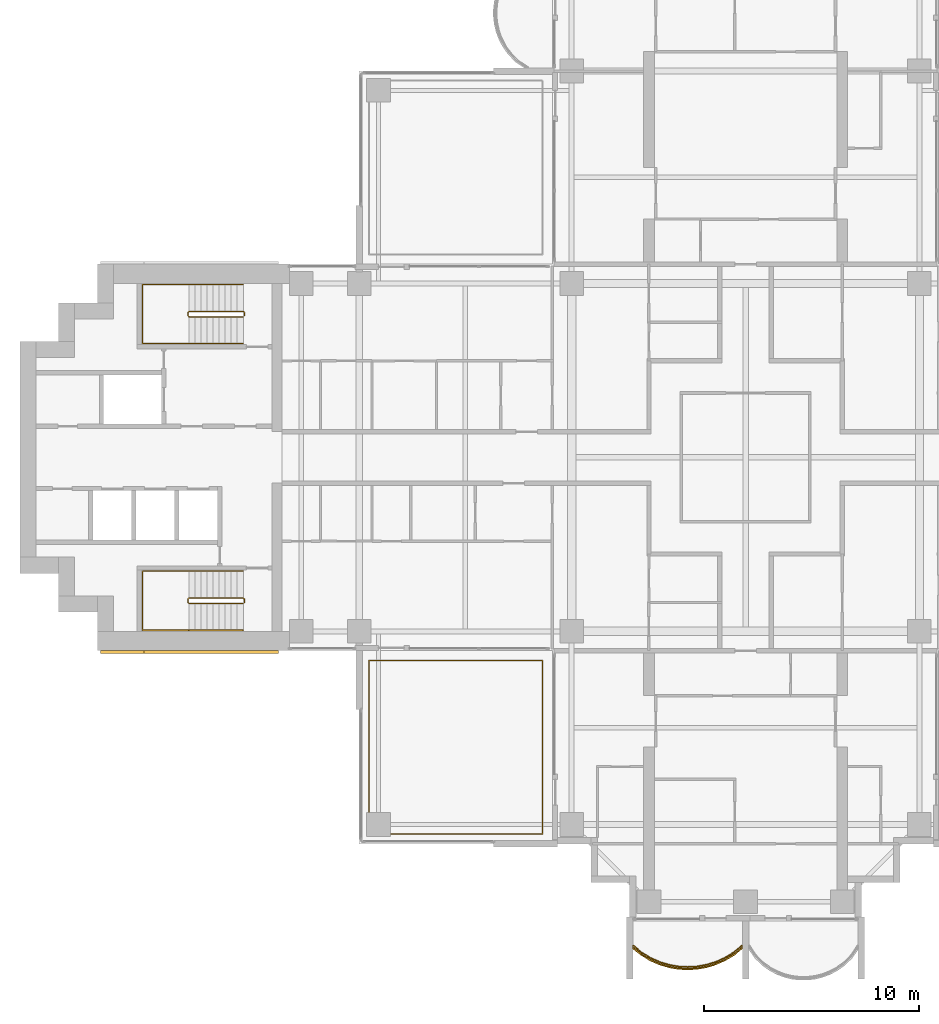
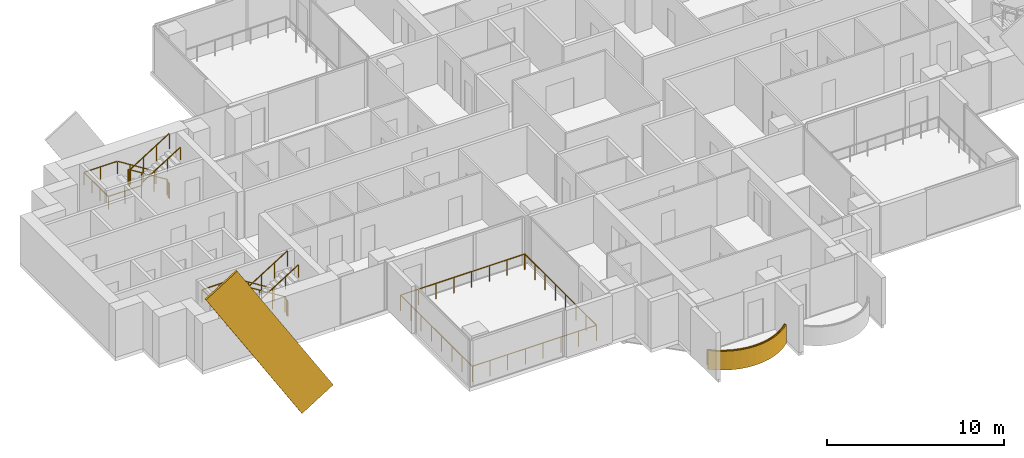
# One storey, part 16 of 19: 6 railings, 2 coverings.
"""IFC4 building model written with IfcOpenShell, lengths in metres."""

from ifc_helpers import new_model, si_unit, direction, frame, origin, origin_2d, place, context, subcontext, project, spatial, polyline, rectangle, outline, extrude, material, layer, layer_set, material_profile, profile_set, type_object, element, save


model = new_model("IFC4")

# Units and contexts
model_context = context("Model", 3, precision=1e-05, world=origin(), true_north=direction((0.0, 1.0)))
body_context = subcontext(model_context, "Body", "Model", "MODEL_VIEW")
ifc_project = project(units=[si_unit("LENGTHUNIT", "METRE"), si_unit("AREAUNIT", "SQUARE_METRE"), si_unit("VOLUMEUNIT", "CUBIC_METRE"), si_unit("PLANEANGLEUNIT", "RADIAN"), si_unit("MASSUNIT", "GRAM", prefix="KILO")], contexts=[model_context])

# Site, building, storey
site_placement = place(None, origin())
site = spatial("IfcSite", under=ifc_project, at=site_placement, CompositionType="ELEMENT")
building_placement = place(site_placement, origin())
building = spatial("IfcBuilding", under=site, at=building_placement, Name="Perihelion Cross Residences", CompositionType="ELEMENT")
storey_placement = place(building_placement, frame((0.0, 0.0, 137.39990234375)))
storey = spatial("IfcBuildingStorey", under=building, at=storey_placement, Name="L33", CompositionType="ELEMENT", Elevation=137.39990234375)

# Covering
ifc_material_1 = material(Name="Bronze anodised aluminium", Category="aluminium")
ifc_layer = layer(ifc_material_1, 0.070068359375)
ifc_layer_set = layer_set([ifc_layer], Name="Balcony fascia 1300")
covering_type_1 = type_object("IfcCoveringType", Name="Balcony fascia 1300", PredefinedType="CLADDING", material=ifc_layer_set)
covering_1_placement = place(storey_placement, frame((0.0, 0.0, -0.199951171875)))
element("IfcCovering", 1, at=covering_1_placement, inside=storey, type_object=covering_type_1, Name="Fascia BF1 L33 south tip south bay 1", PredefinedType="CLADDING", context=body_context, shape_type="SweptSolid", body=[
    extrude(outline(polyline([(-4.86474609375, -23.197509765625), (-4.431884765625, -23.455078125), (-3.998779296875, -23.642578125), (-3.56591796875, -23.7705078125), (-3.133056640625, -23.845458984375), (-2.699951171875, -23.8701171875), (-2.26708984375, -23.845458984375), (-1.833984375, -23.7705078125), (-1.401123046875, -23.642578125), (-0.96826171875, -23.455078125), (-0.53515625, -23.197509765625), (-0.14990234375, -22.8896484375), (-0.14990234375, -22.800048828125), (-0.574951171875, -23.14013671875), (-1.0, -23.392578125), (-1.425048828125, -23.57666015625), (-1.85009765625, -23.702392578125), (-2.27490234375, -23.77587890625), (-2.699951171875, -23.800048828125), (-3.125, -23.77587890625), (-3.550048828125, -23.702392578125), (-3.97509765625, -23.57666015625), (-4.39990234375, -23.392578125), (-4.824951171875, -23.14013671875), (-5.25, -22.800048828125), (-5.25, -22.8896484375), (-4.86474609375, -23.197509765625)])), origin(), (0.0, 0.0, 1.0), 1.300048828125),
])

# Railings
ifc_material_2 = material(Name="Bronze anodised aluminium", Category="aluminium")
railing_type_1 = type_object("IfcRailingType", Name="Balcony guard 1100", PredefinedType="GUARDRAIL", material=ifc_material_2)
railing_1_placement = place(storey_placement, frame((-5.22509765625, -22.739990234375, 0.0)))
element("IfcRailing", 2, at=railing_1_placement, inside=storey, type_object=railing_type_1, Name="Guard GU1 L33 south tip south bay 1 balcony", PredefinedType="GUARDRAIL", context=body_context, shape_type="SweptSolid", body=[
    extrude(rectangle(XDim=0.048095703125, YDim=0.048095703125, at=origin_2d()), frame((0.0, 0.0, 1.076171875), z_axis=(0.761973728849, -0.647607934281, 0.0), x_axis=(0.647607934281, 0.761973728849, 0.0)), (0.0, 0.0, 1.0), 0.525146484375),
    extrude(rectangle(XDim=0.048095703125, YDim=0.048095703125, at=origin_2d()), frame((0.400146484375, -0.340087890625, 1.076171875), z_axis=(0.859576918062, -0.511006381501, 0.0), x_axis=(0.511006381501, 0.859576918062, 0.0)), (0.0, 0.0, 1.0), 0.494384765625),
    extrude(rectangle(XDim=0.048095703125, YDim=0.048095703125, at=origin_2d()), frame((0.8251953125, -0.5927734375, 1.076171875), z_axis=(0.917747942671, -0.397163333811, 0.0), x_axis=(0.397163333811, 0.917747942671, 0.0)), (0.0, 0.0, 1.0), 0.462890625),
    extrude(rectangle(XDim=0.048095703125, YDim=0.048095703125, at=origin_2d()), frame((1.25, -0.776611328125, 1.076171875), z_axis=(0.958925815697, -0.283656975924, 0.0), x_axis=(0.283656975924, 0.958925815697, 0.0)), (0.0, 0.0, 1.0), 0.443359375),
    extrude(rectangle(XDim=0.048095703125, YDim=0.048095703125, at=origin_2d()), frame((1.675048828125, -0.90234375, 1.076171875), z_axis=(0.985381583142, -0.17036177859, 0.0), x_axis=(0.17036177859, 0.985381583142, 0.0)), (0.0, 0.0, 1.0), 0.431396484375),
    extrude(rectangle(XDim=0.048095703125, YDim=0.048095703125, at=origin_2d()), frame((2.10009765625, -0.975830078125, 1.076171875), z_axis=(0.998387160354, -0.056772159032, 0.0), x_axis=(0.056772159032, 0.998387160354, 0.0)), (0.0, 0.0, 1.0), 0.42578125),
    extrude(rectangle(XDim=0.048095703125, YDim=0.048095703125, at=origin_2d()), frame((2.525146484375, -1.0, 1.076171875), z_axis=(0.998387160354, 0.056772159032, 0.0), x_axis=(-0.056772159032, 0.998387160354, 0.0)), (0.0, 0.0, 1.0), 0.42578125),
    extrude(rectangle(XDim=0.048095703125, YDim=0.048095703125, at=origin_2d()), frame((2.9501953125, -0.975830078125, 1.076171875), z_axis=(0.985365142702, 0.170456843651, 0.0), x_axis=(-0.170456843651, 0.985365142702, 0.0)), (0.0, 0.0, 1.0), 0.43115234375),
    extrude(rectangle(XDim=0.048095703125, YDim=0.048095703125, at=origin_2d()), frame((3.375, -0.90234375, 1.076171875), z_axis=(0.958925815697, 0.283656975924, 0.0), x_axis=(-0.283656975924, 0.958925815697, 0.0)), (0.0, 0.0, 1.0), 0.443359375),
    extrude(rectangle(XDim=0.048095703125, YDim=0.048095703125, at=origin_2d()), frame((3.800048828125, -0.776611328125, 1.076171875), z_axis=(0.917831080218, 0.396971167952, 0.0), x_axis=(-0.396971167952, 0.917831080218, 0.0)), (0.0, 0.0, 1.0), 0.463134765625),
    extrude(rectangle(XDim=0.048095703125, YDim=0.048095703125, at=origin_2d()), frame((4.22509765625, -0.5927734375, 1.076171875), z_axis=(0.859576918062, 0.511006381501, 0.0), x_axis=(-0.511006381501, 0.859576918062, 0.0)), (0.0, 0.0, 1.0), 0.494384765625),
    extrude(rectangle(XDim=0.048095703125, YDim=0.048095703125, at=origin_2d()), frame((4.650146484375, -0.340087890625, 1.076171875), z_axis=(0.761778647315, 0.647837396648, 0.0), x_axis=(-0.647837396648, 0.761778647315, 0.0)), (0.0, 0.0, 1.0), 0.52490234375),
    extrude(rectangle(XDim=0.0419921875, YDim=0.0419921875, at=origin_2d()), origin(), (0.0, 0.0, 1.0), 1.052001953125),
    extrude(rectangle(XDim=0.0419921875, YDim=0.0419921875, at=origin_2d()), frame((0.400146484375, -0.340087890625, 0.0)), (0.0, 0.0, 1.0), 1.052001953125),
    extrude(rectangle(XDim=0.0419921875, YDim=0.0419921875, at=origin_2d()), frame((0.8251953125, -0.5927734375, 0.0)), (0.0, 0.0, 1.0), 1.052001953125),
    extrude(rectangle(XDim=0.0419921875, YDim=0.0419921875, at=origin_2d()), frame((1.25, -0.776611328125, 0.0)), (0.0, 0.0, 1.0), 1.052001953125),
    extrude(rectangle(XDim=0.0419921875, YDim=0.0419921875, at=origin_2d()), frame((1.675048828125, -0.90234375, 0.0)), (0.0, 0.0, 1.0), 1.052001953125),
    extrude(rectangle(XDim=0.0419921875, YDim=0.0419921875, at=origin_2d()), frame((2.10009765625, -0.975830078125, 0.0)), (0.0, 0.0, 1.0), 1.052001953125),
    extrude(rectangle(XDim=0.0419921875, YDim=0.0419921875, at=origin_2d()), frame((2.525146484375, -1.0, 0.0)), (0.0, 0.0, 1.0), 1.052001953125),
    extrude(rectangle(XDim=0.0419921875, YDim=0.0419921875, at=origin_2d()), frame((2.9501953125, -0.975830078125, 0.0)), (0.0, 0.0, 1.0), 1.052001953125),
    extrude(rectangle(XDim=0.0419921875, YDim=0.0419921875, at=origin_2d()), frame((3.375, -0.90234375, 0.0)), (0.0, 0.0, 1.0), 1.052001953125),
    extrude(rectangle(XDim=0.0419921875, YDim=0.0419921875, at=origin_2d()), frame((3.800048828125, -0.776611328125, 0.0)), (0.0, 0.0, 1.0), 1.052001953125),
    extrude(rectangle(XDim=0.0419921875, YDim=0.0419921875, at=origin_2d()), frame((4.22509765625, -0.5927734375, 0.0)), (0.0, 0.0, 1.0), 1.052001953125),
    extrude(rectangle(XDim=0.0419921875, YDim=0.0419921875, at=origin_2d()), frame((4.650146484375, -0.340087890625, 0.0)), (0.0, 0.0, 1.0), 1.052001953125),
    extrude(rectangle(XDim=0.0419921875, YDim=0.0419921875, at=origin_2d()), frame((5.050048828125, 0.0, 0.0)), (0.0, 0.0, 1.0), 1.052001953125),
])
railing_2_placement = place(storey_placement, frame((-9.449951171875, -17.550048828125, 0.0)))
element("IfcRailing", 3, at=railing_2_placement, inside=storey, type_object=railing_type_1, Name="Guard GU1 L33 pocket south-west 1", PredefinedType="GUARDRAIL", context=body_context, shape_type="SweptSolid", body=[
    extrude(rectangle(XDim=0.048095703125, YDim=0.048095703125, at=origin_2d()), frame((0.0, 0.0, 1.076171875), z_axis=(-1.0, 0.0, 0.0), x_axis=(0.0, -1.0, 0.0)), (0.0, 0.0, 1.0), 8.10009765625),
    extrude(rectangle(XDim=0.048095703125, YDim=0.048095703125, at=origin_2d()), frame((-8.10009765625, 0.0, 1.076171875), z_axis=(0.0, 1.0, 0.0), x_axis=(-1.0, 0.0, 0.0)), (0.0, 0.0, 1.0), 8.10009765625),
    extrude(rectangle(XDim=0.048095703125, YDim=0.048095703125, at=origin_2d()), frame((-8.10009765625, 8.10009765625, 1.076171875), z_axis=(1.0, 0.0, 0.0), x_axis=(0.0, 1.0, 0.0)), (0.0, 0.0, 1.0), 8.10009765625),
    extrude(rectangle(XDim=0.048095703125, YDim=0.048095703125, at=origin_2d()), frame((0.0, 8.10009765625, 1.076171875), z_axis=(0.0, -1.0, 0.0), x_axis=(1.0, 0.0, 0.0)), (0.0, 0.0, 1.0), 8.10009765625),
    extrude(rectangle(XDim=0.0419921875, YDim=0.0419921875, at=origin_2d()), origin(), (0.0, 0.0, 1.0), 1.052001953125),
    extrude(rectangle(XDim=0.0419921875, YDim=0.0419921875, at=origin_2d()), frame((-1.1572265625, 0.0, 0.0)), (0.0, 0.0, 1.0), 1.052001953125),
    extrude(rectangle(XDim=0.0419921875, YDim=0.0419921875, at=origin_2d()), frame((-2.314208984375, 0.0, 0.0)), (0.0, 0.0, 1.0), 1.052001953125),
    extrude(rectangle(XDim=0.0419921875, YDim=0.0419921875, at=origin_2d()), frame((-3.471435546875, 0.0, 0.0)), (0.0, 0.0, 1.0), 1.052001953125),
    extrude(rectangle(XDim=0.0419921875, YDim=0.0419921875, at=origin_2d()), frame((-4.628662109375, 0.0, 0.0)), (0.0, 0.0, 1.0), 1.052001953125),
    extrude(rectangle(XDim=0.0419921875, YDim=0.0419921875, at=origin_2d()), frame((-5.785888671875, 0.0, 0.0)), (0.0, 0.0, 1.0), 1.052001953125),
    extrude(rectangle(XDim=0.0419921875, YDim=0.0419921875, at=origin_2d()), frame((-6.94287109375, 0.0, 0.0)), (0.0, 0.0, 1.0), 1.052001953125),
    extrude(rectangle(XDim=0.0419921875, YDim=0.0419921875, at=origin_2d()), frame((-8.10009765625, 0.0, 0.0)), (0.0, 0.0, 1.0), 1.052001953125),
    extrude(rectangle(XDim=0.0419921875, YDim=0.0419921875, at=origin_2d()), frame((-8.10009765625, 1.1572265625, 0.0)), (0.0, 0.0, 1.0), 1.052001953125),
    extrude(rectangle(XDim=0.0419921875, YDim=0.0419921875, at=origin_2d()), frame((-8.10009765625, 2.314208984375, 0.0)), (0.0, 0.0, 1.0), 1.052001953125),
    extrude(rectangle(XDim=0.0419921875, YDim=0.0419921875, at=origin_2d()), frame((-8.10009765625, 3.471435546875, 0.0)), (0.0, 0.0, 1.0), 1.052001953125),
    extrude(rectangle(XDim=0.0419921875, YDim=0.0419921875, at=origin_2d()), frame((-8.10009765625, 4.628662109375, 0.0)), (0.0, 0.0, 1.0), 1.052001953125),
    extrude(rectangle(XDim=0.0419921875, YDim=0.0419921875, at=origin_2d()), frame((-8.10009765625, 5.785888671875, 0.0)), (0.0, 0.0, 1.0), 1.052001953125),
    extrude(rectangle(XDim=0.0419921875, YDim=0.0419921875, at=origin_2d()), frame((-8.10009765625, 6.94287109375, 0.0)), (0.0, 0.0, 1.0), 1.052001953125),
    extrude(rectangle(XDim=0.0419921875, YDim=0.0419921875, at=origin_2d()), frame((-8.10009765625, 8.10009765625, 0.0)), (0.0, 0.0, 1.0), 1.052001953125),
    extrude(rectangle(XDim=0.0419921875, YDim=0.0419921875, at=origin_2d()), frame((-6.94287109375, 8.10009765625, 0.0)), (0.0, 0.0, 1.0), 1.052001953125),
    extrude(rectangle(XDim=0.0419921875, YDim=0.0419921875, at=origin_2d()), frame((-5.785888671875, 8.10009765625, 0.0)), (0.0, 0.0, 1.0), 1.052001953125),
    extrude(rectangle(XDim=0.0419921875, YDim=0.0419921875, at=origin_2d()), frame((-4.628662109375, 8.10009765625, 0.0)), (0.0, 0.0, 1.0), 1.052001953125),
    extrude(rectangle(XDim=0.0419921875, YDim=0.0419921875, at=origin_2d()), frame((-3.471435546875, 8.10009765625, 0.0)), (0.0, 0.0, 1.0), 1.052001953125),
    extrude(rectangle(XDim=0.0419921875, YDim=0.0419921875, at=origin_2d()), frame((-2.314208984375, 8.10009765625, 0.0)), (0.0, 0.0, 1.0), 1.052001953125),
    extrude(rectangle(XDim=0.0419921875, YDim=0.0419921875, at=origin_2d()), frame((-1.1572265625, 8.10009765625, 0.0)), (0.0, 0.0, 1.0), 1.052001953125),
    extrude(rectangle(XDim=0.0419921875, YDim=0.0419921875, at=origin_2d()), frame((0.0, 8.10009765625, 0.0)), (0.0, 0.0, 1.0), 1.052001953125),
    extrude(rectangle(XDim=0.0419921875, YDim=0.0419921875, at=origin_2d()), frame((0.0, 6.94287109375, 0.0)), (0.0, 0.0, 1.0), 1.052001953125),
    extrude(rectangle(XDim=0.0419921875, YDim=0.0419921875, at=origin_2d()), frame((0.0, 5.785888671875, 0.0)), (0.0, 0.0, 1.0), 1.052001953125),
    extrude(rectangle(XDim=0.0419921875, YDim=0.0419921875, at=origin_2d()), frame((0.0, 4.628662109375, 0.0)), (0.0, 0.0, 1.0), 1.052001953125),
    extrude(rectangle(XDim=0.0419921875, YDim=0.0419921875, at=origin_2d()), frame((0.0, 3.471435546875, 0.0)), (0.0, 0.0, 1.0), 1.052001953125),
    extrude(rectangle(XDim=0.0419921875, YDim=0.0419921875, at=origin_2d()), frame((0.0, 2.314208984375, 0.0)), (0.0, 0.0, 1.0), 1.052001953125),
    extrude(rectangle(XDim=0.0419921875, YDim=0.0419921875, at=origin_2d()), frame((0.0, 1.1572265625, 0.0)), (0.0, 0.0, 1.0), 1.052001953125),
])

# Covering
ifc_material_3 = material(Name="Bronze anodised aluminium", Category="aluminium")
ifc_material_profile = material_profile(ifc_material_3, rectangle(XDim=0.125, YDim=2.39990234375, at=origin_2d()), Name="Bronze cladding band 2400")
ifc_profile_set = profile_set([ifc_material_profile], Name="Bronze anodised aluminium")
covering_type_2 = type_object("IfcCoveringType", Name="Bronze cladding band 2400", PredefinedType="CLADDING", material=ifc_profile_set)
covering_2_placement = place(storey_placement, frame((-22.767578125, -9.0625, -4.472412109375), z_axis=(-0.529915403603, 0.0, 0.848050508534), x_axis=(0.0, -1.0, 0.0)))
element("IfcCovering", 4, at=covering_2_placement, inside=storey, type_object=covering_type_2, Name="Core cladding band, west core", PredefinedType="CLADDING", context=body_context, shape_type="SweptSolid", body=[
    extrude(rectangle(XDim=0.125, YDim=2.39990234375, at=origin_2d()), origin(), (0.0, 0.0, 1.0), 11.822021484375),
])

# Railings
ifc_material_4 = material(Name="Stainless steel", Category="steel")
railing_type_2 = type_object("IfcRailingType", Name="Stair guard 1100", PredefinedType="GUARDRAIL", material=ifc_material_4)
railing_3_placement = place(storey_placement, frame((-23.35009765625, 6.60009765625, 0.0)))
element("IfcRailing", 5, at=railing_3_placement, inside=storey, type_object=railing_type_2, Name="L33 ST-W1 stair guard 1", PredefinedType="GUARDRAIL", context=body_context, shape_type="SweptSolid", body=[
    extrude(rectangle(XDim=0.048095703125, YDim=0.048095703125, at=origin_2d()), frame((0.0, 0.0, 1.076171875), z_axis=(0.0, 1.0, 0.0), x_axis=(-1.0, 0.0, 0.0)), (0.0, 0.0, 1.0), 0.14990234375),
    extrude(rectangle(XDim=0.048095703125, YDim=0.048095703125, at=origin_2d()), frame((0.0, 0.14990234375, 1.076171875), z_axis=(-0.263862480399, 0.265155923931, 0.927399011991), x_axis=(-0.708833529934, -0.705375805398, 0.0)), (0.0, 0.0, 1.0), 0.188720703125),
    extrude(rectangle(XDim=0.048095703125, YDim=0.048095703125, at=origin_2d()), frame((-0.0498046875, 0.199951171875, 1.2509765625), z_axis=(-0.848007534815, 0.0, 0.529984170421), x_axis=(0.0, -1.0, 0.0)), (0.0, 0.0, 1.0), 2.9716796875),
    extrude(rectangle(XDim=0.048095703125, YDim=0.048095703125, at=origin_2d()), frame((-2.56982421875, 0.199951171875, 2.826171875), z_axis=(-0.707106781187, -0.707106781187, 0.0), x_axis=(0.707106781187, -0.707106781187, 0.0)), (0.0, 0.0, 1.0), 0.07080078125),
    extrude(rectangle(XDim=0.048095703125, YDim=0.048095703125, at=origin_2d()), frame((-2.619873046875, 0.14990234375, 2.826171875), z_axis=(0.0, -1.0, 0.0), x_axis=(1.0, 0.0, 0.0)), (0.0, 0.0, 1.0), 0.14990234375),
    extrude(rectangle(XDim=0.048095703125, YDim=0.048095703125, at=origin_2d()), frame((-2.619873046875, 0.0, 2.826171875), z_axis=(0.265065253269, -0.265065253269, 0.927081885822), x_axis=(0.707106781187, 0.707106781187, 0.0)), (0.0, 0.0, 1.0), 0.188720703125),
    extrude(rectangle(XDim=0.048095703125, YDim=0.048095703125, at=origin_2d()), frame((-2.56982421875, -0.050048828125, 3.0009765625), z_axis=(0.848007534815, 0.0, 0.529984170421), x_axis=(0.0, 1.0, 0.0)), (0.0, 0.0, 1.0), 2.9716796875),
    extrude(rectangle(XDim=0.0419921875, YDim=0.0419921875, at=origin_2d()), origin(), (0.0, 0.0, 1.0), 1.052001953125),
    extrude(rectangle(XDim=0.0419921875, YDim=0.0419921875, at=origin_2d()), frame((0.0, 0.14990234375, 0.0)), (0.0, 0.0, 1.0), 1.052001953125),
    extrude(rectangle(XDim=0.0419921875, YDim=0.0419921875, at=origin_2d()), frame((-0.0498046875, 0.199951171875, 0.175048828125)), (0.0, 0.0, 1.0), 1.052001953125),
    extrude(rectangle(XDim=0.0419921875, YDim=0.0419921875, at=origin_2d()), frame((-0.889892578125, 0.199951171875, 0.699951171875)), (0.0, 0.0, 1.0), 1.052001953125),
    extrude(rectangle(XDim=0.0419921875, YDim=0.0419921875, at=origin_2d()), frame((-1.729736328125, 0.199951171875, 1.22509765625)), (0.0, 0.0, 1.0), 1.052001953125),
    extrude(rectangle(XDim=0.0419921875, YDim=0.0419921875, at=origin_2d()), frame((-2.56982421875, 0.199951171875, 1.75)), (0.0, 0.0, 1.0), 1.052001953125),
    extrude(rectangle(XDim=0.0419921875, YDim=0.0419921875, at=origin_2d()), frame((-2.619873046875, 0.14990234375, 1.75)), (0.0, 0.0, 1.0), 1.052001953125),
    extrude(rectangle(XDim=0.0419921875, YDim=0.0419921875, at=origin_2d()), frame((-2.619873046875, 0.0, 1.75)), (0.0, 0.0, 1.0), 1.052001953125),
    extrude(rectangle(XDim=0.0419921875, YDim=0.0419921875, at=origin_2d()), frame((-2.56982421875, -0.050048828125, 1.925048828125)), (0.0, 0.0, 1.0), 1.052001953125),
    extrude(rectangle(XDim=0.0419921875, YDim=0.0419921875, at=origin_2d()), frame((-1.729736328125, -0.050048828125, 2.449951171875)), (0.0, 0.0, 1.0), 1.052001953125),
    extrude(rectangle(XDim=0.0419921875, YDim=0.0419921875, at=origin_2d()), frame((-0.889892578125, -0.050048828125, 2.97509765625)), (0.0, 0.0, 1.0), 1.052001953125),
    extrude(rectangle(XDim=0.0419921875, YDim=0.0419921875, at=origin_2d()), frame((-0.0498046875, -0.050048828125, 3.5)), (0.0, 0.0, 1.0), 1.052001953125),
])
railing_4_placement = place(storey_placement, frame((-23.35009765625, -6.75, 0.0)))
element("IfcRailing", 6, at=railing_4_placement, inside=storey, type_object=railing_type_2, Name="L33 ST-W2 stair guard 1", PredefinedType="GUARDRAIL", context=body_context, shape_type="SweptSolid", body=[
    extrude(rectangle(XDim=0.048095703125, YDim=0.048095703125, at=origin_2d()), frame((0.0, 0.0, 1.076171875), z_axis=(0.0, 1.0, 0.0), x_axis=(-1.0, 0.0, 0.0)), (0.0, 0.0, 1.0), 0.14990234375),
    extrude(rectangle(XDim=0.048095703125, YDim=0.048095703125, at=origin_2d()), frame((0.0, 0.14990234375, 1.076171875), z_axis=(-0.263862480399, 0.265155923931, 0.927399011991), x_axis=(-0.708833529934, -0.705375805398, 0.0)), (0.0, 0.0, 1.0), 0.188720703125),
    extrude(rectangle(XDim=0.048095703125, YDim=0.048095703125, at=origin_2d()), frame((-0.0498046875, 0.199951171875, 1.2509765625), z_axis=(-0.848007534815, 0.0, 0.529984170421), x_axis=(0.0, -1.0, 0.0)), (0.0, 0.0, 1.0), 2.9716796875),
    extrude(rectangle(XDim=0.048095703125, YDim=0.048095703125, at=origin_2d()), frame((-2.56982421875, 0.199951171875, 2.826171875), z_axis=(-0.707106781187, -0.707106781187, 0.0), x_axis=(0.707106781187, -0.707106781187, 0.0)), (0.0, 0.0, 1.0), 0.07080078125),
    extrude(rectangle(XDim=0.048095703125, YDim=0.048095703125, at=origin_2d()), frame((-2.619873046875, 0.14990234375, 2.826171875), z_axis=(0.0, -1.0, 0.0), x_axis=(1.0, 0.0, 0.0)), (0.0, 0.0, 1.0), 0.14990234375),
    extrude(rectangle(XDim=0.048095703125, YDim=0.048095703125, at=origin_2d()), frame((-2.619873046875, 0.0, 2.826171875), z_axis=(0.265065253269, -0.265065253269, 0.927081885822), x_axis=(0.707106781187, 0.707106781187, 0.0)), (0.0, 0.0, 1.0), 0.188720703125),
    extrude(rectangle(XDim=0.048095703125, YDim=0.048095703125, at=origin_2d()), frame((-2.56982421875, -0.050048828125, 3.0009765625), z_axis=(0.848007534815, 0.0, 0.529984170421), x_axis=(0.0, 1.0, 0.0)), (0.0, 0.0, 1.0), 2.9716796875),
    extrude(rectangle(XDim=0.0419921875, YDim=0.0419921875, at=origin_2d()), origin(), (0.0, 0.0, 1.0), 1.052001953125),
    extrude(rectangle(XDim=0.0419921875, YDim=0.0419921875, at=origin_2d()), frame((0.0, 0.14990234375, 0.0)), (0.0, 0.0, 1.0), 1.052001953125),
    extrude(rectangle(XDim=0.0419921875, YDim=0.0419921875, at=origin_2d()), frame((-0.0498046875, 0.199951171875, 0.175048828125)), (0.0, 0.0, 1.0), 1.052001953125),
    extrude(rectangle(XDim=0.0419921875, YDim=0.0419921875, at=origin_2d()), frame((-0.889892578125, 0.199951171875, 0.699951171875)), (0.0, 0.0, 1.0), 1.052001953125),
    extrude(rectangle(XDim=0.0419921875, YDim=0.0419921875, at=origin_2d()), frame((-1.729736328125, 0.199951171875, 1.22509765625)), (0.0, 0.0, 1.0), 1.052001953125),
    extrude(rectangle(XDim=0.0419921875, YDim=0.0419921875, at=origin_2d()), frame((-2.56982421875, 0.199951171875, 1.75)), (0.0, 0.0, 1.0), 1.052001953125),
    extrude(rectangle(XDim=0.0419921875, YDim=0.0419921875, at=origin_2d()), frame((-2.619873046875, 0.14990234375, 1.75)), (0.0, 0.0, 1.0), 1.052001953125),
    extrude(rectangle(XDim=0.0419921875, YDim=0.0419921875, at=origin_2d()), frame((-2.619873046875, 0.0, 1.75)), (0.0, 0.0, 1.0), 1.052001953125),
    extrude(rectangle(XDim=0.0419921875, YDim=0.0419921875, at=origin_2d()), frame((-2.56982421875, -0.050048828125, 1.925048828125)), (0.0, 0.0, 1.0), 1.052001953125),
    extrude(rectangle(XDim=0.0419921875, YDim=0.0419921875, at=origin_2d()), frame((-1.729736328125, -0.050048828125, 2.449951171875)), (0.0, 0.0, 1.0), 1.052001953125),
    extrude(rectangle(XDim=0.0419921875, YDim=0.0419921875, at=origin_2d()), frame((-0.889892578125, -0.050048828125, 2.97509765625)), (0.0, 0.0, 1.0), 1.052001953125),
    extrude(rectangle(XDim=0.0419921875, YDim=0.0419921875, at=origin_2d()), frame((-0.0498046875, -0.050048828125, 3.5)), (0.0, 0.0, 1.0), 1.052001953125),
])
ifc_material_5 = material(Name="Stainless steel", Category="steel")
railing_type_3 = type_object("IfcRailingType", Name="Stair handrail 900", PredefinedType="HANDRAIL", material=ifc_material_5)
railing_5_placement = place(storey_placement, frame((-23.39990234375, 8.050048828125, 0.175048828125)))
element("IfcRailing", 7, at=railing_5_placement, inside=storey, type_object=railing_type_3, Name="L33 ST-W1 stair handrail 1", PredefinedType="HANDRAIL", context=body_context, shape_type="SweptSolid", body=[
    extrude(rectangle(XDim=0.048095703125, YDim=0.048095703125, at=origin_2d()), frame((0.0, 0.0, 0.8759765625), z_axis=(-0.848007534815, 0.0, 0.529984170421), x_axis=(0.0, -1.0, 0.0)), (0.0, 0.0, 1.0), 2.9716796875),
    extrude(rectangle(XDim=0.048095703125, YDim=0.048095703125, at=origin_2d()), frame((-2.52001953125, 0.0, 2.45068359375), z_axis=(-1.0, 0.0, 0.0), x_axis=(0.0, -1.0, 0.0)), (0.0, 0.0, 1.0), 2.18017578125),
    extrude(rectangle(XDim=0.048095703125, YDim=0.048095703125, at=origin_2d()), frame((-4.7001953125, 0.0, 2.45068359375), z_axis=(0.0, -1.0, 0.0), x_axis=(1.0, 0.0, 0.0)), (0.0, 0.0, 1.0), 2.75),
    extrude(rectangle(XDim=0.048095703125, YDim=0.048095703125, at=origin_2d()), frame((-4.7001953125, -2.75, 2.45068359375), z_axis=(1.0, 0.0, 0.0), x_axis=(0.0, 1.0, 0.0)), (0.0, 0.0, 1.0), 2.18017578125),
    extrude(rectangle(XDim=0.048095703125, YDim=0.048095703125, at=origin_2d()), frame((-2.52001953125, -2.75, 2.45068359375), z_axis=(0.0, 0.0, 1.0), x_axis=(1.0, 0.0, 0.0)), (0.0, 0.0, 1.0), 0.175048828125),
    extrude(rectangle(XDim=0.048095703125, YDim=0.048095703125, at=origin_2d()), frame((-2.52001953125, -2.75, 2.6259765625), z_axis=(0.848007534815, 0.0, 0.529984170421), x_axis=(0.0, 1.0, 0.0)), (0.0, 0.0, 1.0), 2.9716796875),
    extrude(rectangle(XDim=0.0419921875, YDim=0.0419921875, at=origin_2d()), origin(), (0.0, 0.0, 1.0), 0.851806640625),
    extrude(rectangle(XDim=0.0419921875, YDim=0.0419921875, at=origin_2d()), frame((-0.840087890625, 0.0, 0.52490234375)), (0.0, 0.0, 1.0), 0.851806640625),
    extrude(rectangle(XDim=0.0419921875, YDim=0.0419921875, at=origin_2d()), frame((-1.679931640625, 0.0, 1.050048828125)), (0.0, 0.0, 1.0), 0.851806640625),
    extrude(rectangle(XDim=0.0419921875, YDim=0.0419921875, at=origin_2d()), frame((-2.52001953125, 0.0, 1.574951171875)), (0.0, 0.0, 1.0), 0.851806640625),
    extrude(rectangle(XDim=0.0419921875, YDim=0.0419921875, at=origin_2d()), frame((-3.610107421875, 0.0, 1.574951171875)), (0.0, 0.0, 1.0), 0.851806640625),
    extrude(rectangle(XDim=0.0419921875, YDim=0.0419921875, at=origin_2d()), frame((-4.7001953125, 0.0, 1.574951171875)), (0.0, 0.0, 1.0), 0.851806640625),
    extrude(rectangle(XDim=0.0419921875, YDim=0.0419921875, at=origin_2d()), frame((-4.7001953125, -0.916748046875, 1.574951171875)), (0.0, 0.0, 1.0), 0.851806640625),
    extrude(rectangle(XDim=0.0419921875, YDim=0.0419921875, at=origin_2d()), frame((-4.7001953125, -1.833251953125, 1.574951171875)), (0.0, 0.0, 1.0), 0.851806640625),
    extrude(rectangle(XDim=0.0419921875, YDim=0.0419921875, at=origin_2d()), frame((-4.7001953125, -2.75, 1.574951171875)), (0.0, 0.0, 1.0), 0.851806640625),
    extrude(rectangle(XDim=0.0419921875, YDim=0.0419921875, at=origin_2d()), frame((-3.610107421875, -2.75, 1.574951171875)), (0.0, 0.0, 1.0), 0.851806640625),
    extrude(rectangle(XDim=0.0419921875, YDim=0.0419921875, at=origin_2d()), frame((-2.52001953125, -2.75, 1.574951171875)), (0.0, 0.0, 1.0), 0.851806640625),
    extrude(rectangle(XDim=0.0419921875, YDim=0.0419921875, at=origin_2d()), frame((-2.52001953125, -2.75, 1.75)), (0.0, 0.0, 1.0), 0.851806640625),
    extrude(rectangle(XDim=0.0419921875, YDim=0.0419921875, at=origin_2d()), frame((-1.679931640625, -2.75, 2.27490234375)), (0.0, 0.0, 1.0), 0.851806640625),
    extrude(rectangle(XDim=0.0419921875, YDim=0.0419921875, at=origin_2d()), frame((-0.840087890625, -2.75, 2.800048828125)), (0.0, 0.0, 1.0), 0.851806640625),
    extrude(rectangle(XDim=0.0419921875, YDim=0.0419921875, at=origin_2d()), frame((0.0, -2.75, 3.324951171875)), (0.0, 0.0, 1.0), 0.851806640625),
])
railing_6_placement = place(storey_placement, frame((-23.39990234375, -5.300048828125, 0.175048828125)))
element("IfcRailing", 8, at=railing_6_placement, inside=storey, type_object=railing_type_3, Name="L33 ST-W2 stair handrail 1", PredefinedType="HANDRAIL", context=body_context, shape_type="SweptSolid", body=[
    extrude(rectangle(XDim=0.048095703125, YDim=0.048095703125, at=origin_2d()), frame((0.0, 0.0, 0.8759765625), z_axis=(-0.848007534815, 0.0, 0.529984170421), x_axis=(0.0, -1.0, 0.0)), (0.0, 0.0, 1.0), 2.9716796875),
    extrude(rectangle(XDim=0.048095703125, YDim=0.048095703125, at=origin_2d()), frame((-2.52001953125, 0.0, 2.45068359375), z_axis=(-1.0, 0.0, 0.0), x_axis=(0.0, -1.0, 0.0)), (0.0, 0.0, 1.0), 2.18017578125),
    extrude(rectangle(XDim=0.048095703125, YDim=0.048095703125, at=origin_2d()), frame((-4.7001953125, 0.0, 2.45068359375), z_axis=(0.0, -1.0, 0.0), x_axis=(1.0, 0.0, 0.0)), (0.0, 0.0, 1.0), 2.75),
    extrude(rectangle(XDim=0.048095703125, YDim=0.048095703125, at=origin_2d()), frame((-4.7001953125, -2.75, 2.45068359375), z_axis=(1.0, 0.0, 0.0), x_axis=(0.0, 1.0, 0.0)), (0.0, 0.0, 1.0), 2.18017578125),
    extrude(rectangle(XDim=0.048095703125, YDim=0.048095703125, at=origin_2d()), frame((-2.52001953125, -2.75, 2.45068359375), z_axis=(0.0, 0.0, 1.0), x_axis=(1.0, 0.0, 0.0)), (0.0, 0.0, 1.0), 0.175048828125),
    extrude(rectangle(XDim=0.048095703125, YDim=0.048095703125, at=origin_2d()), frame((-2.52001953125, -2.75, 2.6259765625), z_axis=(0.848007534815, 0.0, 0.529984170421), x_axis=(0.0, 1.0, 0.0)), (0.0, 0.0, 1.0), 2.9716796875),
    extrude(rectangle(XDim=0.0419921875, YDim=0.0419921875, at=origin_2d()), origin(), (0.0, 0.0, 1.0), 0.851806640625),
    extrude(rectangle(XDim=0.0419921875, YDim=0.0419921875, at=origin_2d()), frame((-0.840087890625, 0.0, 0.52490234375)), (0.0, 0.0, 1.0), 0.851806640625),
    extrude(rectangle(XDim=0.0419921875, YDim=0.0419921875, at=origin_2d()), frame((-1.679931640625, 0.0, 1.050048828125)), (0.0, 0.0, 1.0), 0.851806640625),
    extrude(rectangle(XDim=0.0419921875, YDim=0.0419921875, at=origin_2d()), frame((-2.52001953125, 0.0, 1.574951171875)), (0.0, 0.0, 1.0), 0.851806640625),
    extrude(rectangle(XDim=0.0419921875, YDim=0.0419921875, at=origin_2d()), frame((-3.610107421875, 0.0, 1.574951171875)), (0.0, 0.0, 1.0), 0.851806640625),
    extrude(rectangle(XDim=0.0419921875, YDim=0.0419921875, at=origin_2d()), frame((-4.7001953125, 0.0, 1.574951171875)), (0.0, 0.0, 1.0), 0.851806640625),
    extrude(rectangle(XDim=0.0419921875, YDim=0.0419921875, at=origin_2d()), frame((-4.7001953125, -0.916748046875, 1.574951171875)), (0.0, 0.0, 1.0), 0.851806640625),
    extrude(rectangle(XDim=0.0419921875, YDim=0.0419921875, at=origin_2d()), frame((-4.7001953125, -1.833251953125, 1.574951171875)), (0.0, 0.0, 1.0), 0.851806640625),
    extrude(rectangle(XDim=0.0419921875, YDim=0.0419921875, at=origin_2d()), frame((-4.7001953125, -2.75, 1.574951171875)), (0.0, 0.0, 1.0), 0.851806640625),
    extrude(rectangle(XDim=0.0419921875, YDim=0.0419921875, at=origin_2d()), frame((-3.610107421875, -2.75, 1.574951171875)), (0.0, 0.0, 1.0), 0.851806640625),
    extrude(rectangle(XDim=0.0419921875, YDim=0.0419921875, at=origin_2d()), frame((-2.52001953125, -2.75, 1.574951171875)), (0.0, 0.0, 1.0), 0.851806640625),
    extrude(rectangle(XDim=0.0419921875, YDim=0.0419921875, at=origin_2d()), frame((-2.52001953125, -2.75, 1.75)), (0.0, 0.0, 1.0), 0.851806640625),
    extrude(rectangle(XDim=0.0419921875, YDim=0.0419921875, at=origin_2d()), frame((-1.679931640625, -2.75, 2.27490234375)), (0.0, 0.0, 1.0), 0.851806640625),
    extrude(rectangle(XDim=0.0419921875, YDim=0.0419921875, at=origin_2d()), frame((-0.840087890625, -2.75, 2.800048828125)), (0.0, 0.0, 1.0), 0.851806640625),
    extrude(rectangle(XDim=0.0419921875, YDim=0.0419921875, at=origin_2d()), frame((0.0, -2.75, 3.324951171875)), (0.0, 0.0, 1.0), 0.851806640625),
])

save(model, "model.ifc")
